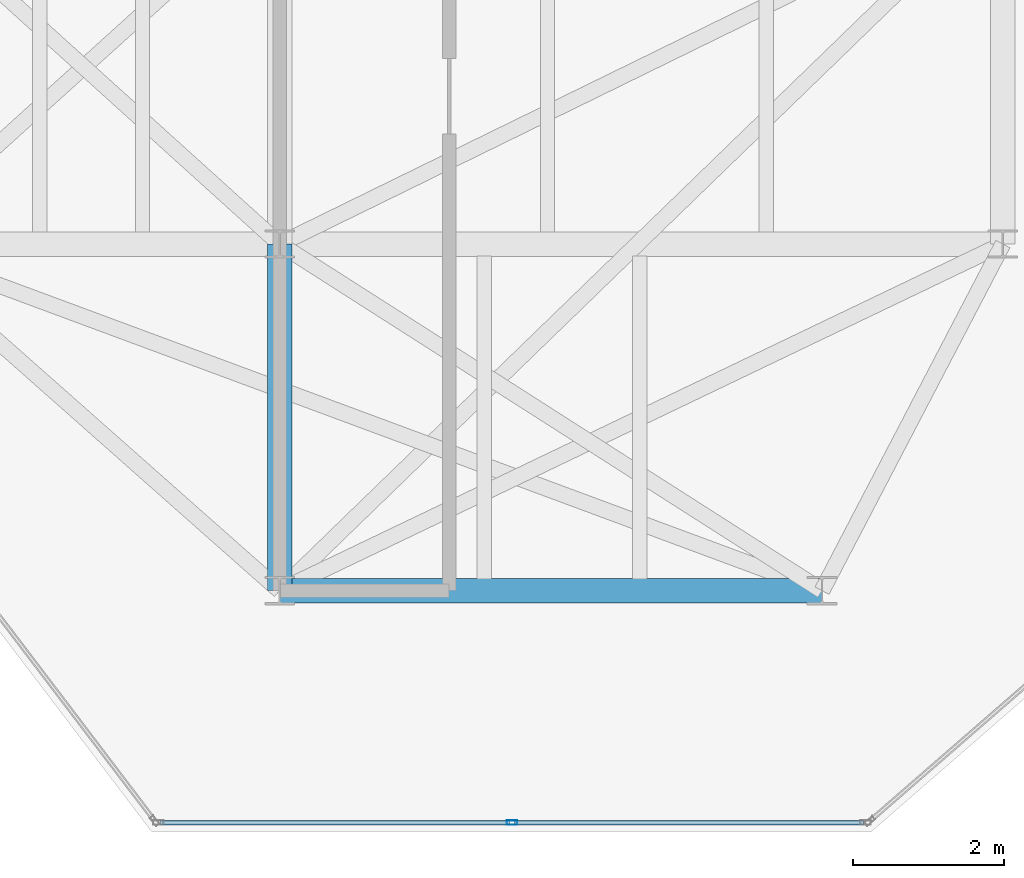
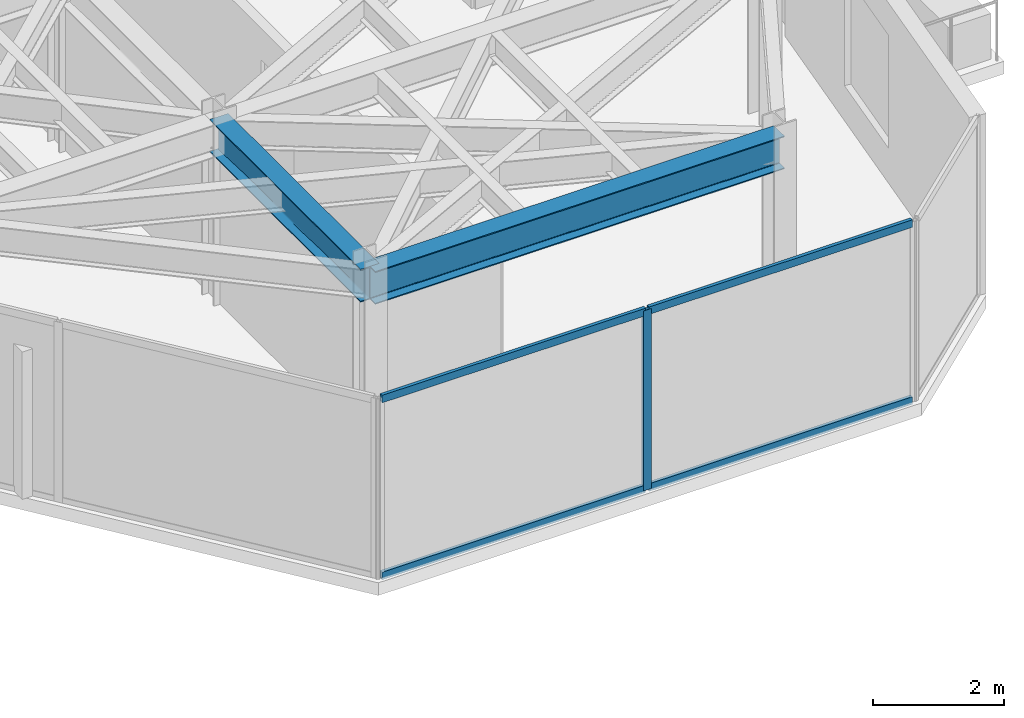
# One storey, part 6 of 17: 5 members, 2 beams, 1 element without a shape of its own.
"""IFC4 building model written with IfcOpenShell, lengths in metres."""

from ifc_helpers import new_model, si_unit, direction, frame, origin, origin_2d, place, context, subcontext, project, spatial, hollow_rectangle, i_section, extrude, material, layer, layer_set, material_profile, profile_set, type_object, element, aggregate, save


model = new_model("IFC4")

# Units and contexts
model_context = context("Model", 3, precision=1e-05, world=origin(), true_north=direction((0.0, 1.0)))
body_context = subcontext(model_context, "Body", "Model", "MODEL_VIEW")
ifc_project = project(units=[si_unit("LENGTHUNIT", "METRE"), si_unit("AREAUNIT", "SQUARE_METRE"), si_unit("VOLUMEUNIT", "CUBIC_METRE"), si_unit("PLANEANGLEUNIT", "RADIAN"), si_unit("MASSUNIT", "GRAM", prefix="KILO")], contexts=[model_context])

# Site, building, storey
site_placement = place(None, origin())
site = spatial("IfcSite", under=ifc_project, at=site_placement, CompositionType="ELEMENT")
building_placement = place(site_placement, origin())
building = spatial("IfcBuilding", under=site, at=building_placement, Name="Kravanh Interchange Tower", CompositionType="ELEMENT")
storey_placement = place(building_placement, frame((0.0, 0.0, 293.10009765625)))
storey = spatial("IfcBuildingStorey", under=building, at=storey_placement, Name="L72", CompositionType="ELEMENT", Elevation=293.10009765625)

# Curtain wall, members
ifc_material_1 = material(Name="Anodised Bronze Aluminium", Category="aluminium")
ifc_layer = layer(ifc_material_1, 0.179931640625)
ifc_layer_set = layer_set([ifc_layer], Name="Unitised Curtain Wall System CW-HTL Luxury Hotel")
curtain_wall_type = type_object("IfcCurtainWallType", Name="Unitised Curtain Wall System CW-HTL Luxury Hotel", PredefinedType="NOTDEFINED", material=ifc_layer_set)
curtain_wall_placement = place(storey_placement, origin())
curtain_wall = element("IfcCurtainWall", 1, at=curtain_wall_placement, inside=storey, type_object=curtain_wall_type, Name="L72 Unitised Curtain Wall CW-L72-03", PredefinedType="NOTDEFINED")
ifc_material_2 = material(Name="Anodised Bronze Aluminium", Category="aluminium")
ifc_material_profile_1 = material_profile(ifc_material_2, hollow_rectangle(XDim=0.06005859375, YDim=0.139892578125, WallThickness=0.00390625, at=origin_2d()), Name="ALU60X140X4")
ifc_profile_set_1 = profile_set([ifc_material_profile_1], Name="Anodised Bronze Aluminium")
member_type_1 = type_object("IfcMemberType", Name="Curtain Wall Mullion ALU60X140X4 Bronze", PredefinedType="MULLION", material=ifc_profile_set_1)
member_1_placement = place(storey_placement, frame((59.084228515625, 19.1201171875, 0.0), z_axis=(0.0, 0.0, 1.0), x_axis=(0.0, -1.0, 0.0)))
member_1 = element("IfcMember", 2, at=member_1_placement, type_object=member_type_1, Name="CW-HTL mullion 2", PredefinedType="MULLION", context=body_context, shape_type="SweptSolid", body=[
    extrude(hollow_rectangle(XDim=0.06005859375, YDim=0.139892578125, WallThickness=0.00390625, at=origin_2d()), origin(), (0.0, 0.0, 1.0), 3.349853515625),
])
ifc_material_3 = material(Name="Anodised Bronze Aluminium", Category="aluminium")
ifc_material_profile_2 = material_profile(ifc_material_3, hollow_rectangle(XDim=0.06005859375, YDim=0.139892578125, WallThickness=0.00390625, at=origin_2d()), Name="ALU60X140X4")
ifc_profile_set_2 = profile_set([ifc_material_profile_2], Name="Anodised Bronze Aluminium")
member_type_2 = type_object("IfcMemberType", Name="Curtain Wall Transom ALU60X140X4 Bronze", PredefinedType="USERDEFINED", material=ifc_profile_set_2)
member_2_placement = place(storey_placement, frame((63.7490234375, 19.1201171875, 0.02978515625), z_axis=(-1.0, 0.0, 0.0), x_axis=(0.0, -1.0, 0.0)))
member_2 = element("IfcMember", 3, at=member_2_placement, type_object=member_type_2, Name="CW-HTL transom 1.1", ObjectType="TRANSOM", PredefinedType="USERDEFINED", context=body_context, shape_type="SweptSolid", body=[
    extrude(hollow_rectangle(XDim=0.06005859375, YDim=0.139892578125, WallThickness=0.00390625, at=origin_2d()), origin(), (0.0, 0.0, 1.0), 4.634765625),
])
member_3_placement = place(storey_placement, frame((63.7490234375, 19.1201171875, 3.31982421875), z_axis=(-1.0, 0.0, 0.0), x_axis=(0.0, -1.0, 0.0)))
member_3 = element("IfcMember", 4, at=member_3_placement, type_object=member_type_2, Name="CW-HTL transom 1.2", ObjectType="TRANSOM", PredefinedType="USERDEFINED", context=body_context, shape_type="SweptSolid", body=[
    extrude(hollow_rectangle(XDim=0.06005859375, YDim=0.139892578125, WallThickness=0.00390625, at=origin_2d()), origin(), (0.0, 0.0, 1.0), 4.634765625),
])
member_4_placement = place(storey_placement, frame((59.05419921875, 19.1201171875, 0.02978515625), z_axis=(-1.0, 0.0, 0.0), x_axis=(0.0, -1.0, 0.0)))
member_4 = element("IfcMember", 5, at=member_4_placement, type_object=member_type_2, Name="CW-HTL transom 2.1", ObjectType="TRANSOM", PredefinedType="USERDEFINED", context=body_context, shape_type="SweptSolid", body=[
    extrude(hollow_rectangle(XDim=0.06005859375, YDim=0.139892578125, WallThickness=0.00390625, at=origin_2d()), origin(), (0.0, 0.0, 1.0), 4.634765625),
])
member_5_placement = place(storey_placement, frame((59.05419921875, 19.1201171875, 3.31982421875), z_axis=(-1.0, 0.0, 0.0), x_axis=(0.0, -1.0, 0.0)))
member_5 = element("IfcMember", 6, at=member_5_placement, type_object=member_type_2, Name="CW-HTL transom 2.2", ObjectType="TRANSOM", PredefinedType="USERDEFINED", context=body_context, shape_type="SweptSolid", body=[
    extrude(hollow_rectangle(XDim=0.06005859375, YDim=0.139892578125, WallThickness=0.00390625, at=origin_2d()), origin(), (0.0, 0.0, 1.0), 4.634765625),
])
aggregate(curtain_wall, [member_1, member_2, member_3, member_4, member_5])

# Beams
ifc_material_4 = material(Name="Structural Steel S355", Category="steel")
ifc_material_profile_3 = material_profile(ifc_material_4, i_section(OverallWidth=0.323974609375, OverallDepth=0.611083984375, WebThickness=0.0126953125, FlangeThickness=0.01904296875, FilletRadius=0.02197265625, at=origin_2d()), Name="W24X104")
ifc_profile_set_3 = profile_set([ifc_material_profile_3], Name="Structural Steel S355")
beam_type = type_object("IfcBeamType", Name="Floor Beam W24X104 Structural Steel S355", PredefinedType="BEAM", material=ifc_profile_set_3)
beam_1_placement = place(storey_placement, frame((56.0, 26.800048828125, 3.04443359375), z_axis=(0.0, -1.0, 0.0), x_axis=(1.0, 0.0, 0.0)))
element("IfcBeam", 7, at=beam_1_placement, inside=storey, type_object=beam_type, Name="L72 Primary Floor Girder 28", PredefinedType="BEAM", context=body_context, shape_type="SweptSolid", body=[
    extrude(i_section(OverallWidth=0.323974609375, OverallDepth=0.611083984375, WebThickness=0.0126953125, FlangeThickness=0.01904296875, FilletRadius=0.02197265625, at=origin_2d()), origin(), (0.0, 0.0, 1.0), 4.60009765625),
])
beam_2_placement = place(storey_placement, frame((56.0, 22.199951171875, 3.04443359375), z_axis=(1.0, 0.0, 0.0), x_axis=(0.0, 1.0, 0.0)))
element("IfcBeam", 8, at=beam_2_placement, inside=storey, type_object=beam_type, Name="L72 Primary Floor Girder 33", PredefinedType="BEAM", context=body_context, shape_type="SweptSolid", body=[
    extrude(i_section(OverallWidth=0.323974609375, OverallDepth=0.611083984375, WebThickness=0.0126953125, FlangeThickness=0.01904296875, FilletRadius=0.02197265625, at=origin_2d()), origin(), (0.0, 0.0, 1.0), 7.199951171875),
])

save(model, "model.ifc")
